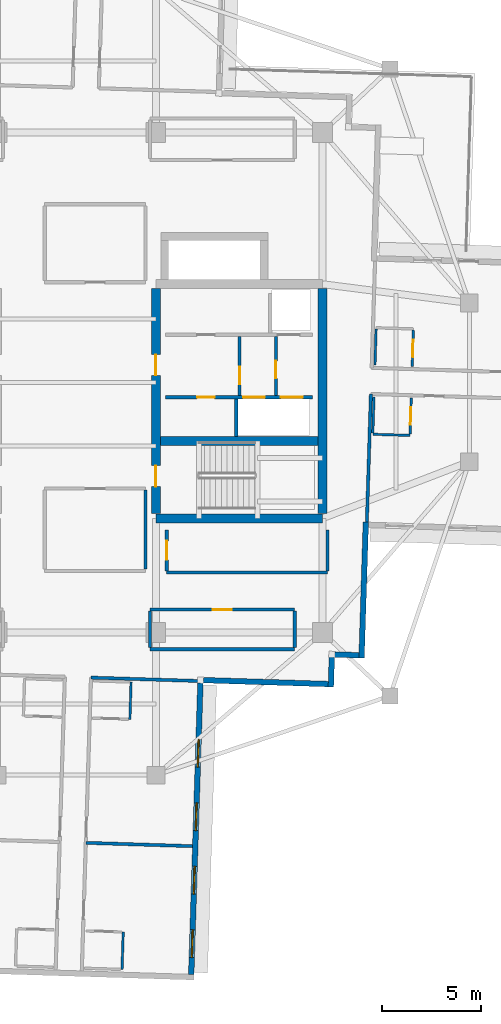
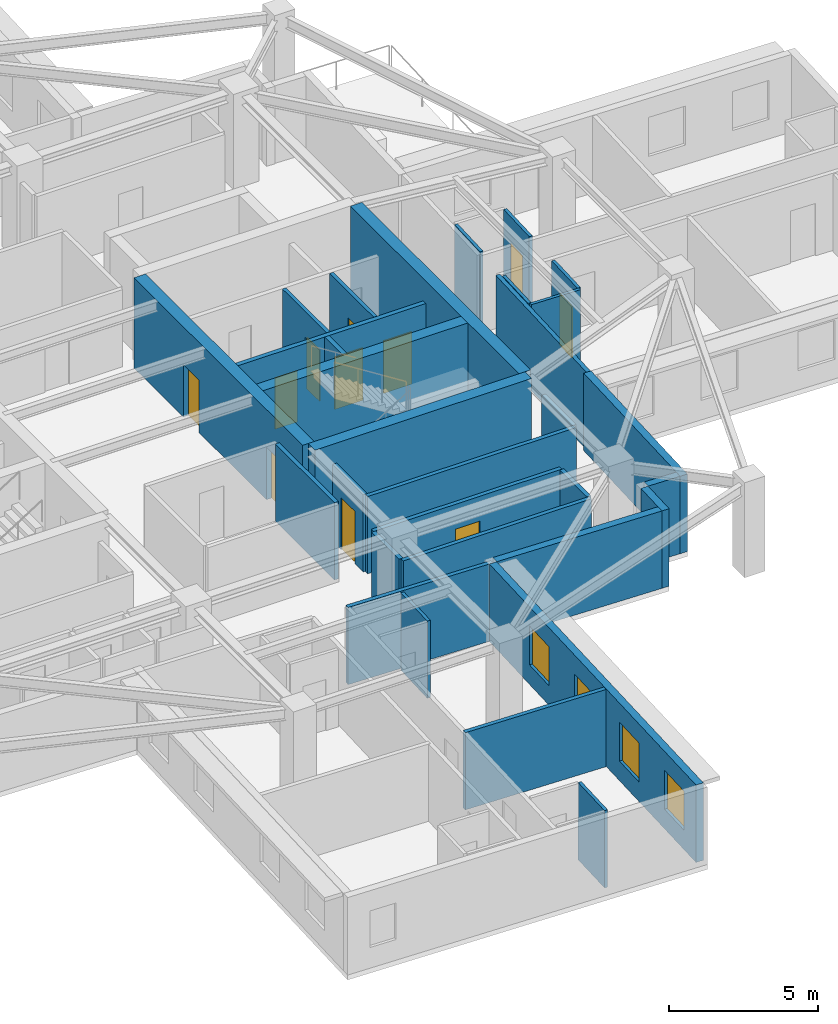
# One storey, part 5 of 12: 31 walls, 11 doors, 4 windows, 15 openings.
"""IFC4 building model written with IfcOpenShell, lengths in metres."""

import ifcopenshell
import ifcopenshell.guid

model = None  # the IFC model being written
_history = None  # IfcOwnerHistory: only IFC2X3 demands one
_inside = {}  # id of a spatial element -> (the spatial element, [elements in it])
_under = {}  # id of a project, library or spatial element -> (it, [spatial elements below it])
_declared = {}  # id of a project -> (the project, [libraries it declares])
_typed = {}  # id of a type object -> (the type object, [elements of that type])
_made_of = {}  # id of a material, layer set ... -> (it, [elements and type objects made of it])


def new_model(schema):
    """Start an empty IFC model of exactly this schema.

    Asked for "IFC4X3", IfcOpenShell would pick the latest addendum, in which some entities
    have other attributes; the version numbers below select the first issue.
    IFC2X3 requires an IfcOwnerHistory on every rooted entity: one is made here for all.
    """
    global model, _history
    if schema == "IFC4X3":
        model = ifcopenshell.file(schema_version=(4, 3, 0, 0))
    else:
        model = ifcopenshell.file(schema=schema)
    _inside.clear()
    _under.clear()
    _declared.clear()
    _typed.clear()
    _made_of.clear()
    _history = None
    if model.schema == "IFC2X3":
        org = make("IfcOrganization", Name="unknown")
        user = make(
            "IfcPersonAndOrganization",
            ThePerson=make("IfcPerson", FamilyName="unknown"),
            TheOrganization=org,
        )
        app = make(
            "IfcApplication",
            ApplicationDeveloper=org,
            Version="unknown",
            ApplicationFullName="unknown",
            ApplicationIdentifier="unknown",
        )
        _history = make(
            "IfcOwnerHistory",
            OwningUser=user,
            OwningApplication=app,
            ChangeAction="ADDED",
            CreationDate=0,
        )
    return model


def make(cls, **values):
    """One entity of the class cls with the attributes given. An attribute that is None is left unset."""
    return model.create_entity(
        cls, **{name: value for name, value in values.items() if value is not None}
    )


def rooted(cls, **values):
    """An entity with a GlobalId (a new one), such as an element, a storey or a relation."""
    return make(cls, GlobalId=ifcopenshell.guid.new(), OwnerHistory=_history, **values)


def si_unit(unit_type, name, prefix=None):
    """IfcSIUnit, for example si_unit("LENGTHUNIT", "METRE", prefix="MILLI")."""
    return make("IfcSIUnit", UnitType=unit_type, Prefix=prefix, Name=name)


def assignment(units):
    """IfcUnitAssignment: the units of a project."""
    return None if units is None else make("IfcUnitAssignment", Units=units)


def point(xyz):
    """IfcCartesianPoint."""
    return None if xyz is None else make("IfcCartesianPoint", Coordinates=xyz)


def direction(xyz):
    """IfcDirection."""
    return None if xyz is None else make("IfcDirection", DirectionRatios=xyz)


def frame(location, z_axis=None, x_axis=None):
    """IfcAxis2Placement3D, a coordinate frame: its origin and axes. An axis left out is left unset."""
    return make(
        "IfcAxis2Placement3D",
        Location=point(location),
        Axis=direction(z_axis),
        RefDirection=direction(x_axis),
    )


def frame_2d(location, x_axis=None):
    """IfcAxis2Placement2D, a coordinate frame in the plane: its origin and x axis."""
    return make(
        "IfcAxis2Placement2D", Location=point(location), RefDirection=direction(x_axis)
    )


def origin():
    """The frame at (0, 0, 0) with its axes left unset."""
    return frame((0.0, 0.0, 0.0))


def place(relative_to, where):
    """IfcLocalPlacement: puts the frame where relative to a parent placement (None: the world)."""
    return make(
        "IfcLocalPlacement", PlacementRelTo=relative_to, RelativePlacement=where
    )


def context(
    kind, dimensions, precision=None, world=None, true_north=None, identifier=None
):
    """IfcGeometricRepresentationContext, for example the 3D "Model" context."""
    return make(
        "IfcGeometricRepresentationContext",
        ContextIdentifier=identifier,
        ContextType=kind,
        CoordinateSpaceDimension=dimensions,
        Precision=precision,
        WorldCoordinateSystem=world,
        TrueNorth=true_north,
    )


def subcontext(parent, identifier, kind, view, scale=None):
    """IfcGeometricRepresentationSubContext, for example "Body" below "Model"."""
    return make(
        "IfcGeometricRepresentationSubContext",
        ContextIdentifier=identifier,
        ContextType=kind,
        ParentContext=parent,
        TargetScale=scale,
        TargetView=view,
    )


def project(units=None, contexts=None):
    """IfcProject with its units and contexts."""
    return rooted(
        "IfcProject",
        Name="project",
        RepresentationContexts=contexts,
        UnitsInContext=assignment(units),
    )


def spatial(cls, under=None, at=None, **own):
    """A site, building, storey or space (cls), placed at a placement, below another one or the project."""
    s = rooted(cls, ObjectPlacement=at, **own)
    if under is not None:
        _under.setdefault(under.id(), (under, []))[1].append(s)
    return s


def profile(cls, at=None, kind="AREA", **sizes):
    """A parametric profile (cls). Its sizes go by their IFC names, for example OverallWidth=200.0."""
    return make(cls, ProfileType=kind, Position=at, **sizes)


def rectangle(**sizes):
    """IfcRectangleProfileDef."""
    return profile("IfcRectangleProfileDef", **sizes)


def extrude(swept, where, along, depth):
    """IfcExtrudedAreaSolid: the profile swept, set in the frame where, extruded along a direction by depth."""
    return make(
        "IfcExtrudedAreaSolid",
        SweptArea=swept,
        Position=where,
        ExtrudedDirection=direction(along),
        Depth=depth,
    )


def shape(context_of_items, identifier, shape_type, items):
    """IfcShapeRepresentation: the items that make up one representation, for example the "Body"."""
    return make(
        "IfcShapeRepresentation",
        ContextOfItems=context_of_items,
        RepresentationIdentifier=identifier,
        RepresentationType=shape_type,
        Items=items,
    )


def material(Name=None, Category=None):
    """IfcMaterial."""
    return make("IfcMaterial", Name=Name, Category=Category)


def layer(
    of_material, thickness, ventilated=None, Name=None, Category=None, Priority=None
):
    """IfcMaterialLayer: one layer of a wall or slab, of a material (None: an air gap)."""
    return make(
        "IfcMaterialLayer",
        Material=of_material,
        LayerThickness=thickness,
        IsVentilated=ventilated,
        Name=Name,
        Category=Category,
        Priority=Priority,
    )


def layer_set(layers, Name=None):
    """IfcMaterialLayerSet."""
    return make("IfcMaterialLayerSet", MaterialLayers=layers, LayerSetName=Name)


def made_of(thing, what):
    """Note that an element or type object is made of a material, layer set ...; save() writes the relation."""
    if what is not None:
        _made_of.setdefault(what.id(), (what, []))[1].append(thing)
    return thing


def type_object(cls, material=None, **own):
    """A type object (cls), such as IfcWallType, which elements share."""
    return made_of(rooted(cls, **own), material)


def element(
    cls,
    number,
    at=None,
    inside=None,
    cuts=None,
    type_object=None,
    material=None,
    context=None,
    identifier="Body",
    shape_type=None,
    held_by="IfcProductDefinitionShape",
    body=None,
    shapes=None,
    **own,
):
    """One element of the class cls, such as IfcWall. Its Tag is "e" and its number.

    at: its placement. inside: the storey or other place that contains it. cuts: it is an
    opening in that element (IfcRelVoidsElement). A single representation is given by context,
    identifier, shape_type and body (its items); several are given by shapes. held_by: the class
    of the entity that holds the representations. save() writes the other relations.
    """
    e = rooted(cls, Tag="e%d" % number, ObjectPlacement=at, **own)
    if body is not None:
        shapes = [shape(context, identifier, shape_type, body)]
    if shapes is not None:
        e.Representation = make(held_by, Representations=shapes)
    if inside is not None:
        _inside.setdefault(inside.id(), (inside, []))[1].append(e)
    if cuts is not None:
        rooted(
            "IfcRelVoidsElement", RelatingBuildingElement=cuts, RelatedOpeningElement=e
        )
    if type_object is not None:
        _typed.setdefault(type_object.id(), (type_object, []))[1].append(e)
    return made_of(e, material)


def fill(opening, filler):
    """IfcRelFillsElement: the door or window that sits in an opening."""
    return rooted(
        "IfcRelFillsElement",
        RelatingOpeningElement=opening,
        RelatedBuildingElement=filler,
    )


def aggregate(whole, parts):
    """IfcRelAggregates: a whole, such as a stair, and the parts it consists of."""
    return rooted("IfcRelAggregates", RelatingObject=whole, RelatedObjects=parts)


def save(model, path):
    """Write the relations noted so far, then the file.

    IfcRelAggregates (storeys below a building ...), IfcRelContainedInSpatialStructure (elements
    in a storey), IfcRelDefinesByType, IfcRelAssociatesMaterial and IfcRelDeclares: one each for
    every whole, place, type object, material and project.
    """
    for whole, parts in _under.values():
        aggregate(whole, parts)
    for where, things in _inside.values():
        rooted(
            "IfcRelContainedInSpatialStructure",
            RelatedElements=things,
            RelatingStructure=where,
        )
    for kind, things in _typed.values():
        rooted("IfcRelDefinesByType", RelatedObjects=things, RelatingType=kind)
    for what, things in _made_of.values():
        rooted("IfcRelAssociatesMaterial", RelatedObjects=things, RelatingMaterial=what)
    for by, libraries in _declared.values():
        rooted("IfcRelDeclares", RelatingContext=by, RelatedDefinitions=libraries)
    model.write(path)


model = new_model("IFC4")

# Units and contexts
model_context = context("Model", 3, precision=1e-05, world=origin(), true_north=direction((0.0, 1.0)))
body_context = subcontext(model_context, "Body", "Model", "MODEL_VIEW")
ifc_project = project(units=[si_unit("LENGTHUNIT", "METRE"), si_unit("AREAUNIT", "SQUARE_METRE"), si_unit("VOLUMEUNIT", "CUBIC_METRE"), si_unit("PLANEANGLEUNIT", "RADIAN"), si_unit("MASSUNIT", "GRAM", prefix="KILO")], contexts=[model_context])

# Site, building, storey
site_placement = place(None, origin())
site = spatial("IfcSite", under=ifc_project, at=site_placement, CompositionType="ELEMENT")
building_placement = place(site_placement, origin())
building = spatial("IfcBuilding", under=site, at=building_placement, Name="Qingluan Cross Belvedere", CompositionType="ELEMENT")
storey_placement = place(building_placement, frame((0.0, 0.0, 232.5)))
storey = spatial("IfcBuildingStorey", under=building, at=storey_placement, Name="L58", CompositionType="ELEMENT", Elevation=232.5)

# Wall
ifc_material_1 = material(Name="Concrete C50", Category="concrete")
ifc_layer_1 = layer(ifc_material_1, 0.449951171875, Name="CoreShearWall_450")
ifc_layer_set_1 = layer_set([ifc_layer_1], Name="Concrete C50")
wall_type_1 = type_object("IfcWallType", Name="CoreShearWall_450", PredefinedType="SHEAR", material=ifc_layer_set_1)
wall_1_placement = place(storey_placement, frame((4.0, -6.85009765625, 0.0), z_axis=(0.0, 0.0, 1.0), x_axis=(1.0, 0.0, 0.0)))
element("IfcWall", 1, at=wall_1_placement, inside=storey, type_object=wall_type_1, Name="Split core E shear wall L58-S", PredefinedType="SHEAR", context=body_context, shape_type="SweptSolid", body=[
    extrude(rectangle(XDim=8.39990234375, YDim=0.449951171875, at=frame_2d((4.199951171875, 0.0))), origin(), (0.0, 0.0, 1.0), 3.699951171875),
])

# Wall, openings, doors
wall_2_placement = place(storey_placement, frame((4.0, -6.6201171875, 0.0), z_axis=(0.0, 0.0, 1.0), x_axis=(0.0, 1.0, 0.0)))
wall_2 = element("IfcWall", 2, at=wall_2_placement, inside=storey, type_object=wall_type_1, Name="Split core E shear wall L58-W", PredefinedType="SHEAR", context=body_context, shape_type="SweptSolid", body=[
    extrude(rectangle(XDim=11.340087890625, YDim=0.449951171875, at=frame_2d((5.669921875, 0.0))), origin(), (0.0, 0.0, 1.0), 3.699951171875),
])
opening_1_placement = place(wall_2_placement, frame((1.3701171875, 0.0, 0.0)))
opening_1 = element("IfcOpeningElement", 3, at=opening_1_placement, cuts=wall_2, Name="Opening FD-B11", PredefinedType="OPENING", context=body_context, shape_type="SweptSolid", body=[
    extrude(rectangle(XDim=1.050048828125, YDim=2.14990234375, at=frame_2d((0.52490234375, 1.074951171875))), frame((0.0, 0.23486328125, 0.0), z_axis=(0.0, -1.0, 0.0), x_axis=(1.0, 0.0, 0.0)), (0.0, 0.0, 1.0), 0.469970703125),
])
opening_2_placement = place(wall_2_placement, frame((6.969970703125, 0.0, 0.0)))
opening_2 = element("IfcOpeningElement", 4, at=opening_2_placement, cuts=wall_2, Name="Opening FD-B11", PredefinedType="OPENING", context=body_context, shape_type="SweptSolid", body=[
    extrude(rectangle(XDim=1.050048828125, YDim=2.14990234375, at=frame_2d((0.52490234375, 1.074951171875))), frame((0.0, 0.23486328125, 0.0), z_axis=(0.0, -1.0, 0.0), x_axis=(1.0, 0.0, 0.0)), (0.0, 0.0, 1.0), 0.469970703125),
])
ifc_material_2 = material(Name="Steel Class B smoke-seal fire door", Category="steel")
door_type_1 = type_object("IfcDoorType", Name="StairLobbyFireDoor_FDB", OperationType="NOTDEFINED", PredefinedType="DOOR", material=ifc_material_2)
door_1_placement = place(opening_1_placement, origin())
door_1 = element("IfcDoor", 5, at=door_1_placement, inside=storey, type_object=door_type_1, Name="Smoke-proof stair ST2 fire door L58", OperationType="SINGLE_SWING_LEFT", OverallHeight=2.14990234375, OverallWidth=1.050048828125, PredefinedType="DOOR", context=body_context, shape_type="SweptSolid", body=[
    extrude(rectangle(XDim=1.050048828125, YDim=2.14990234375, at=frame_2d((0.52490234375, 1.074951171875))), frame((0.0, 0.02490234375, 0.0), z_axis=(0.0, -1.0, 0.0), x_axis=(1.0, 0.0, 0.0)), (0.0, 0.0, 1.0), 0.050048828125),
])
fill(opening_1, door_1)
door_2_placement = place(opening_2_placement, origin())
door_2 = element("IfcDoor", 6, at=door_2_placement, inside=storey, type_object=door_type_1, Name="Firefighting lobby East fire door L58", OperationType="SINGLE_SWING_LEFT", OverallHeight=2.14990234375, OverallWidth=1.050048828125, PredefinedType="DOOR", context=body_context, shape_type="SweptSolid", body=[
    extrude(rectangle(XDim=1.050048828125, YDim=2.14990234375, at=frame_2d((0.52490234375, 1.074951171875))), frame((0.0, 0.02490234375, 0.0), z_axis=(0.0, -1.0, 0.0), x_axis=(1.0, 0.0, 0.0)), (0.0, 0.0, 1.0), 0.050048828125),
])
fill(opening_2, door_2)

# Walls
wall_3_placement = place(storey_placement, frame((12.39990234375, -6.6201171875, 0.0), z_axis=(0.0, 0.0, 1.0), x_axis=(0.0, 1.0, 0.0)))
element("IfcWall", 7, at=wall_3_placement, inside=storey, type_object=wall_type_1, Name="Split core E shear wall L58-E", PredefinedType="SHEAR", context=body_context, shape_type="SweptSolid", body=[
    extrude(rectangle(XDim=11.340087890625, YDim=0.449951171875, at=frame_2d((5.669921875, 0.0))), origin(), (0.0, 0.0, 1.0), 3.699951171875),
])
wall_4_placement = place(storey_placement, frame((4.22998046875, -2.9599609375, 0.0), z_axis=(0.0, 0.0, 1.0), x_axis=(1.0, 0.0, 0.0)))
element("IfcWall", 8, at=wall_4_placement, inside=storey, type_object=wall_type_1, Name="Split core E shear wall L58-M", PredefinedType="SHEAR", context=body_context, shape_type="SweptSolid", body=[
    extrude(rectangle(XDim=7.93994140625, YDim=0.449951171875, at=frame_2d((3.969970703125, 0.0))), origin(), (0.0, 0.0, 1.0), 3.699951171875),
])

# Wall, opening, door
ifc_material_3 = material(Name="Gypsum plasterboard on steel stud acoustic partition", Category="steel")
ifc_layer_2 = layer(ifc_material_3, 0.159912109375, Name="CorridorPartition_160")
ifc_layer_set_2 = layer_set([ifc_layer_2], Name="Gypsum plasterboard on steel stud acoustic partition")
wall_type_2 = type_object("IfcWallType", Name="CorridorPartition_160", PredefinedType="PARTITIONING", material=ifc_layer_set_2)
wall_5_placement = place(storey_placement, frame((10.050048828125, -0.652099609375, 0.0), z_axis=(0.0, 0.0, 1.0), x_axis=(0.0, 1.0, 0.0)))
wall_5 = element("IfcWall", 9, at=wall_5_placement, inside=storey, type_object=wall_type_2, Name="Partition L58:ev", PredefinedType="PARTITIONING", context=body_context, shape_type="SweptSolid", body=[
    extrude(rectangle(XDim=2.962158203125, YDim=0.139892578125, at=frame_2d((1.48095703125, 0.0))), origin(), (0.0, 0.0, 1.0), 3.169921875),
])
opening_3_placement = place(wall_5_placement, frame((0.85009765625, 0.0, 0.0)))
opening_3 = element("IfcOpeningElement", 10, at=opening_3_placement, cuts=wall_5, Name="Opening FD-B10", PredefinedType="OPENING", context=body_context, shape_type="SweptSolid", body=[
    extrude(rectangle(XDim=0.8798828125, YDim=2.10009765625, at=frame_2d((0.43994140625, 1.050048828125))), frame((0.0, 0.079833984375, 0.0), z_axis=(0.0, -1.0, 0.0), x_axis=(1.0, 0.0, 0.0)), (0.0, 0.0, 1.0), 0.159912109375),
])
ifc_material_4 = material(Name="Steel Class B service fire door", Category="steel")
door_type_2 = type_object("IfcDoorType", Name="RiserServiceFireDoor_FDB", OperationType="NOTDEFINED", PredefinedType="DOOR", material=ifc_material_4)
door_3_placement = place(opening_3_placement, origin())
door_3 = element("IfcDoor", 11, at=door_3_placement, inside=storey, type_object=door_type_2, Name="Service closet inner door L58", OperationType="SINGLE_SWING_RIGHT", OverallHeight=2.10009765625, OverallWidth=0.8798828125, PredefinedType="DOOR", context=body_context, shape_type="SweptSolid", body=[
    extrude(rectangle(XDim=0.8798828125, YDim=2.10009765625, at=frame_2d((0.43994140625, 1.050048828125))), frame((0.0, 0.02490234375, 0.0), z_axis=(0.0, -1.0, 0.0), x_axis=(1.0, 0.0, 0.0)), (0.0, 0.0, 1.0), 0.050048828125),
])
fill(opening_3, door_3)

# Wall
wall_6_placement = place(storey_placement, frame((3.699951171875, -13.449951171875, 0.0), z_axis=(0.0, 0.0, 1.0), x_axis=(1.0, 0.0, 0.0)))
element("IfcWall", 12, at=wall_6_placement, inside=storey, type_object=wall_type_2, Name="Partition L58:q_se:S", PredefinedType="PARTITIONING", context=body_context, shape_type="SweptSolid", body=[
    extrude(rectangle(XDim=7.300048828125, YDim=0.159912109375, at=frame_2d((3.64990234375, 0.0))), origin(), (0.0, 0.0, 1.0), 3.169921875),
])

# Wall, opening, door
wall_7_placement = place(storey_placement, frame((3.699951171875, -11.449951171875, 0.0), z_axis=(0.0, 0.0, 1.0), x_axis=(1.0, 0.0, 0.0)))
wall_7 = element("IfcWall", 13, at=wall_7_placement, inside=storey, type_object=wall_type_2, Name="Partition L58:q_se:N", PredefinedType="PARTITIONING", context=body_context, shape_type="SweptSolid", body=[
    extrude(rectangle(XDim=7.300048828125, YDim=0.159912109375, at=frame_2d((3.64990234375, 0.0))), origin(), (0.0, 0.0, 1.0), 3.169921875),
])
opening_4_placement = place(wall_7_placement, frame((3.169921875, 0.0, 0.0)))
opening_4 = element("IfcOpeningElement", 14, at=opening_4_placement, cuts=wall_7, Name="Opening GD-10", PredefinedType="OPENING", context=body_context, shape_type="SweptSolid", body=[
    extrude(rectangle(XDim=0.9599609375, YDim=2.14990234375, at=frame_2d((0.47998046875, 1.074951171875))), frame((0.0, 0.08984375, 0.0), z_axis=(0.0, -1.0, 0.0), x_axis=(1.0, 0.0, 0.0)), (0.0, 0.0, 1.0), 0.179931640625),
])
ifc_material_5 = material(Name="Timber oak fire-rated acoustic guestroom door", Category="wood")
door_type_3 = type_object("IfcDoorType", Name="GuestEntryDoor_FD60", OperationType="NOTDEFINED", PredefinedType="DOOR", material=ifc_material_5)
door_4_placement = place(opening_4_placement, origin())
door_4 = element("IfcDoor", 15, at=door_4_placement, inside=storey, type_object=door_type_3, Name="Sky conservatory lounge L58 door", OperationType="SINGLE_SWING_RIGHT", OverallHeight=2.14990234375, OverallWidth=0.9599609375, PredefinedType="DOOR", context=body_context, shape_type="SweptSolid", body=[
    extrude(rectangle(XDim=0.9599609375, YDim=2.14990234375, at=frame_2d((0.47998046875, 1.074951171875))), frame((0.0, 0.02490234375, 0.0), z_axis=(0.0, -1.0, 0.0), x_axis=(1.0, 0.0, 0.0)), (0.0, 0.0, 1.0), 0.050048828125),
])
fill(opening_4, door_4)

# Walls
for number, where, z_axis, x_axis, name in (
    (16, (3.699951171875, -13.364990234375, 0.0), (0.0, 0.0, 1.0), (0.0, 1.0, 0.0), "Partition L58:q_se:W"),
    (17, (11.0, -13.364990234375, 0.0), (0.0, 0.0, 1.0), (0.0, 1.0, 0.0), "Partition L58:q_se:E"),
):
    element("IfcWall", number, at=place(storey_placement, frame(where, z_axis=z_axis, x_axis=x_axis)), inside=storey, type_object=wall_type_2, Name=name, PredefinedType="PARTITIONING", context=body_context, shape_type="SweptSolid", body=[
        extrude(rectangle(XDim=1.830078125, YDim=0.159912109375, at=frame_2d((0.9150390625, 0.0))), origin(), (0.0, 0.0, 1.0), 3.169921875),
    ])
wall_8_placement = place(storey_placement, frame((3.47998046875, -9.4150390625, 0.0), z_axis=(0.0, 0.0, 1.0), x_axis=(0.0, 1.0, 0.0)))
element("IfcWall", 18, at=wall_8_placement, inside=storey, type_object=wall_type_2, Name="Partition L58:sky_south_alcove:E", PredefinedType="PARTITIONING", context=body_context, shape_type="SweptSolid", body=[
    extrude(rectangle(XDim=3.97998046875, YDim=0.159912109375, at=frame_2d((1.989990234375, 0.0))), origin(), (0.0, 0.0, 1.0), 3.169921875),
])
wall_9_placement = place(storey_placement, frame((4.550048828125, -9.580078125, 0.0), z_axis=(0.0, 0.0, 1.0), x_axis=(1.0, 0.0, 0.0)))
element("IfcWall", 19, at=wall_9_placement, inside=storey, type_object=wall_type_2, Name="Partition L58:rec_st4:S", PredefinedType="PARTITIONING", context=body_context, shape_type="SweptSolid", body=[
    extrude(rectangle(XDim=8.099853515625, YDim=0.159912109375, at=frame_2d((4.0498046875, 0.0))), origin(), (0.0, 0.0, 1.0), 3.169921875),
])

# Wall, opening, door
wall_10_placement = place(storey_placement, frame((4.550048828125, -9.4951171875, 0.0), z_axis=(0.0, 0.0, 1.0), x_axis=(0.0, 1.0, 0.0)))
wall_10 = element("IfcWall", 20, at=wall_10_placement, inside=storey, type_object=wall_type_2, Name="Partition L58:rec_st4:W", PredefinedType="PARTITIONING", context=body_context, shape_type="SweptSolid", body=[
    extrude(rectangle(XDim=2.06005859375, YDim=0.159912109375, at=frame_2d((1.030029296875, 0.0))), origin(), (0.0, 0.0, 1.0), 3.169921875),
])
opening_5_placement = place(wall_10_placement, frame((0.550048828125, 0.0, 0.0)))
opening_5 = element("IfcOpeningElement", 21, at=opening_5_placement, cuts=wall_10, Name="Opening GD-10", PredefinedType="OPENING", context=body_context, shape_type="SweptSolid", body=[
    extrude(rectangle(XDim=0.9599609375, YDim=2.14990234375, at=frame_2d((0.47998046875, 1.074951171875))), frame((0.0, 0.08984375, 0.0), z_axis=(0.0, -1.0, 0.0), x_axis=(1.0, 0.0, 0.0)), (0.0, 0.0, 1.0), 0.179931640625),
])
door_5_placement = place(opening_5_placement, origin())
door_5 = element("IfcDoor", 22, at=door_5_placement, inside=storey, type_object=door_type_3, Name="Southeast club library room L58 door", OperationType="SINGLE_SWING_RIGHT", OverallHeight=2.14990234375, OverallWidth=0.9599609375, PredefinedType="DOOR", context=body_context, shape_type="SweptSolid", body=[
    extrude(rectangle(XDim=0.9599609375, YDim=2.14990234375, at=frame_2d((0.47998046875, 1.074951171875))), frame((0.0, 0.02490234375, 0.0), z_axis=(0.0, -1.0, 0.0), x_axis=(1.0, 0.0, 0.0)), (0.0, 0.0, 1.0), 0.050048828125),
])
fill(opening_5, door_5)

# Walls
wall_11_placement = place(storey_placement, frame((12.64990234375, -9.4951171875, 0.0), z_axis=(0.0, 0.0, 1.0), x_axis=(0.0, 1.0, 0.0)))
element("IfcWall", 23, at=wall_11_placement, inside=storey, type_object=wall_type_2, Name="Partition L58:rec_st4:E", PredefinedType="PARTITIONING", context=body_context, shape_type="SweptSolid", body=[
    extrude(rectangle(XDim=2.06005859375, YDim=0.159912109375, at=frame_2d((1.030029296875, 0.0))), origin(), (0.0, 0.0, 1.0), 3.169921875),
])
wall_12_placement = place(storey_placement, frame((14.8388671875, -0.58642578125, 0.0), z_axis=(0.0, 0.0, 1.0), x_axis=(-0.031407228636, -0.999506671308, 0.0)))
element("IfcWall", 24, at=wall_12_placement, inside=storey, type_object=wall_type_2, Name="Partition L58:E:s1", PredefinedType="PARTITIONING", context=body_context, shape_type="SweptSolid", body=[
    extrude(rectangle(XDim=6.451904296875, YDim=0.159912109375, at=frame_2d((3.22607421875, 0.0))), origin(), (0.0, 0.0, 1.0), 3.169921875),
])
wall_13_placement = place(storey_placement, frame((0.73291015625, -14.88037109375, 0.0), z_axis=(0.0, 0.0, 1.0), x_axis=(0.999506841071, -0.031401825619, 0.0)))
element("IfcWall", 25, at=wall_13_placement, inside=storey, type_object=wall_type_2, Name="Partition L58:S:s0", PredefinedType="PARTITIONING", context=body_context, shape_type="SweptSolid", body=[
    extrude(rectangle(XDim=5.52001953125, YDim=0.159912109375, at=frame_2d((2.760009765625, 0.0))), origin(), (0.0, 0.0, 1.0), 3.169921875),
])
wall_14_placement = place(storey_placement, frame((0.47119140625, -23.207275390625, 0.0), z_axis=(0.0, 0.0, 1.0), x_axis=(0.999506785589, -0.031403591545, 0.0)))
element("IfcWall", 26, at=wall_14_placement, inside=storey, type_object=wall_type_2, Name="Partition L58:S:d0_0", PredefinedType="PARTITIONING", context=body_context, shape_type="SweptSolid", body=[
    extrude(rectangle(XDim=5.3720703125, YDim=0.159912109375, at=frame_2d((2.68603515625, 0.0))), origin(), (0.0, 0.0, 1.0), 3.169921875),
])

# Wall, opening, door
ifc_material_6 = material(Name="Moisture-resistant gypsum board lining")
ifc_layer_3 = layer(ifc_material_6, 0.1201171875, Name="EnsuiteWetPartition_120")
ifc_layer_set_3 = layer_set([ifc_layer_3], Name="Moisture-resistant gypsum board lining")
wall_type_3 = type_object("IfcWallType", Name="EnsuiteWetPartition_120", PredefinedType="PARTITIONING", material=ifc_layer_set_3)
wall_15_placement = place(storey_placement, frame((16.923828125, 0.808837890625, 0.0), z_axis=(0.0, 0.0, 1.0), x_axis=(0.031389704724, 0.999507221803, 0.0)))
wall_15 = element("IfcWall", 27, at=wall_15_placement, inside=storey, type_object=wall_type_3, Name="Partition L58:E:bs0_0", PredefinedType="PARTITIONING", context=body_context, shape_type="SweptSolid", body=[
    extrude(rectangle(XDim=1.820068359375, YDim=0.1201171875, at=frame_2d((0.91015625, 0.0))), origin(), (0.0, 0.0, 1.0), 3.169921875),
])
opening_6_placement = place(wall_15_placement, frame((0.469970703125, 0.0, 0.0)))
opening_6 = element("IfcOpeningElement", 28, at=opening_6_placement, cuts=wall_15, Name="Opening BD-09", PredefinedType="OPENING", context=body_context, shape_type="SweptSolid", body=[
    extrude(rectangle(XDim=0.8798828125, YDim=2.10009765625, at=frame_2d((0.43994140625, 1.050048828125))), frame((0.0, 0.070068359375, 0.0), z_axis=(0.0, -1.0, 0.0), x_axis=(1.0, 0.0, 0.0)), (0.0, 0.0, 1.0), 0.14013671875),
])
ifc_material_7 = material(Name="Moisture-sealed timber en-suite door", Category="wood")
door_type_4 = type_object("IfcDoorType", Name="BathroomDoor_880", OperationType="NOTDEFINED", PredefinedType="DOOR", material=ifc_material_7)
door_6_placement = place(opening_6_placement, origin())
door_6 = element("IfcDoor", 29, at=door_6_placement, inside=storey, type_object=door_type_4, Name="Bathroom door 5801", OperationType="SINGLE_SWING_LEFT", OverallHeight=2.10009765625, OverallWidth=0.8798828125, PredefinedType="DOOR", context=body_context, shape_type="SweptSolid", body=[
    extrude(rectangle(XDim=0.8798828125, YDim=2.10009765625, at=frame_2d((0.43994140625, 1.050048828125))), frame((0.0, 0.02490234375, 0.0), z_axis=(0.0, -1.0, 0.0), x_axis=(1.0, 0.0, 0.0)), (0.0, 0.0, 1.0), 0.050048828125),
])
fill(opening_6, door_6)

# Wall
wall_16_placement = place(storey_placement, frame((15.044677734375, 0.867919921875, 0.0), z_axis=(0.0, 0.0, 1.0), x_axis=(0.031389704724, 0.999507221803, 0.0)))
element("IfcWall", 30, at=wall_16_placement, inside=storey, type_object=wall_type_3, Name="Partition L58:E:bw0_0", PredefinedType="PARTITIONING", context=body_context, shape_type="SweptSolid", body=[
    extrude(rectangle(XDim=1.820068359375, YDim=0.1201171875, at=frame_2d((0.91015625, 0.0))), origin(), (0.0, 0.0, 1.0), 3.169921875),
])

# Wall, opening, door
wall_17_placement = place(storey_placement, frame((16.81640625, -2.609619140625, 0.0), z_axis=(0.0, 0.0, 1.0), x_axis=(0.031385496622, 0.999507353951, 0.0)))
wall_17 = element("IfcWall", 31, at=wall_17_placement, inside=storey, type_object=wall_type_3, Name="Partition L58:E:bs1_0", PredefinedType="PARTITIONING", context=body_context, shape_type="SweptSolid", body=[
    extrude(rectangle(XDim=1.8203125, YDim=0.1201171875, at=frame_2d((0.91015625, 0.0))), origin(), (0.0, 0.0, 1.0), 3.169921875),
])
opening_7_placement = place(wall_17_placement, frame((0.469970703125, 0.0, 0.0)))
opening_7 = element("IfcOpeningElement", 32, at=opening_7_placement, cuts=wall_17, Name="Opening BD-09", PredefinedType="OPENING", context=body_context, shape_type="SweptSolid", body=[
    extrude(rectangle(XDim=0.8798828125, YDim=2.10009765625, at=frame_2d((0.43994140625, 1.050048828125))), frame((0.0, 0.070068359375, 0.0), z_axis=(0.0, -1.0, 0.0), x_axis=(1.0, 0.0, 0.0)), (0.0, 0.0, 1.0), 0.14013671875),
])
door_7_placement = place(opening_7_placement, origin())
door_7 = element("IfcDoor", 33, at=door_7_placement, inside=storey, type_object=door_type_4, Name="Bathroom door 5803", OperationType="SINGLE_SWING_LEFT", OverallHeight=2.10009765625, OverallWidth=0.8798828125, PredefinedType="DOOR", context=body_context, shape_type="SweptSolid", body=[
    extrude(rectangle(XDim=0.8798828125, YDim=2.10009765625, at=frame_2d((0.43994140625, 1.050048828125))), frame((0.0, 0.02490234375, 0.0), z_axis=(0.0, -1.0, 0.0), x_axis=(1.0, 0.0, 0.0)), (0.0, 0.0, 1.0), 0.050048828125),
])
fill(opening_7, door_7)

# Walls
wall_18_placement = place(storey_placement, frame((14.937255859375, -2.55029296875, 0.0), z_axis=(0.0, 0.0, 1.0), x_axis=(0.031389704724, 0.999507221803, 0.0)))
element("IfcWall", 34, at=wall_18_placement, inside=storey, type_object=wall_type_3, Name="Partition L58:E:bw1_0", PredefinedType="PARTITIONING", context=body_context, shape_type="SweptSolid", body=[
    extrude(rectangle(XDim=1.820068359375, YDim=0.1201171875, at=frame_2d((0.91015625, 0.0))), origin(), (0.0, 0.0, 1.0), 3.169921875),
])
for number, where, z_axis, x_axis, name in (
    (35, (14.935302734375, -2.615478515625, 0.0), (0.0, 0.0, 1.0), (0.999505975261, -0.031429371883, 0.0), "Partition L58:E:bc1_0"),
    (36, (2.751953125, -15.10400390625, 0.0), (0.0, 0.0, 1.0), (-0.031429371883, -0.999505975261, 0.0), "Partition L58:S:bn0_0"),
    (37, (2.355712890625, -27.707763671875, 0.0), (0.0, 0.0, 1.0), (-0.031299625942, -0.999510046681, 0.0), "Partition L58:S:bn0_1"),
):
    element("IfcWall", number, at=place(storey_placement, frame(where, z_axis=z_axis, x_axis=x_axis)), inside=storey, type_object=wall_type_3, Name=name, PredefinedType="PARTITIONING", context=body_context, shape_type="SweptSolid", body=[
        extrude(rectangle(XDim=1.8798828125, YDim=0.1201171875, at=frame_2d((0.93994140625, 0.0))), origin(), (0.0, 0.0, 1.0), 3.169921875),
    ])

# Wall, openings, windows
ifc_material_8 = material(Name="Precast concrete C45", Category="concrete")
ifc_layer_4 = layer(ifc_material_8, 0.280029296875, Name="PrecastFacadeWall_280")
ifc_layer_set_4 = layer_set([ifc_layer_4], Name="Precast concrete C45")
wall_type_4 = type_object("IfcWallType", Name="PrecastFacadeWall_280", PredefinedType="STANDARD", material=ifc_layer_set_4)
wall_19_placement = place(storey_placement, frame((5.78564453125, -29.83642578125, 0.0), z_axis=(0.0, 0.0, 1.0), x_axis=(0.031406376864, 0.999506698073, 0.0)))
wall_19 = element("IfcWall", 38, at=wall_19_placement, inside=storey, type_object=wall_type_4, Name="Facade wall L58-SB", PredefinedType="STANDARD", context=body_context, shape_type="SweptSolid", body=[
    extrude(rectangle(XDim=14.699951171875, YDim=0.280029296875, at=frame_2d((7.35009765625, 0.0))), origin(), (0.0, 0.0, 1.0), 3.179931640625),
])
opening_8_placement = place(wall_19_placement, frame((0.85009765625, 0.0, 0.800048828125)))
opening_8 = element("IfcOpeningElement", 39, at=opening_8_placement, cuts=wall_19, Name="Opening W-01", PredefinedType="OPENING", context=body_context, shape_type="SweptSolid", body=[
    extrude(rectangle(XDim=1.39990234375, YDim=1.60009765625, at=frame_2d((0.699951171875, 0.800048828125))), frame((0.0, 0.14990234375, 0.0), z_axis=(0.0, -1.0, 0.0), x_axis=(1.0, 0.0, 0.0)), (0.0, 0.0, 1.0), 0.300048828125),
])
opening_9_placement = place(wall_19_placement, frame((4.050048828125, 0.0, 0.800048828125)))
opening_9 = element("IfcOpeningElement", 40, at=opening_9_placement, cuts=wall_19, Name="Opening W-01", PredefinedType="OPENING", context=body_context, shape_type="SweptSolid", body=[
    extrude(rectangle(XDim=1.39990234375, YDim=1.60009765625, at=frame_2d((0.699951171875, 0.800048828125))), frame((0.0, 0.14990234375, 0.0), z_axis=(0.0, -1.0, 0.0), x_axis=(1.0, 0.0, 0.0)), (0.0, 0.0, 1.0), 0.300048828125),
])
opening_10_placement = place(wall_19_placement, frame((7.25, 0.0, 0.800048828125)))
opening_10 = element("IfcOpeningElement", 41, at=opening_10_placement, cuts=wall_19, Name="Opening W-01", PredefinedType="OPENING", context=body_context, shape_type="SweptSolid", body=[
    extrude(rectangle(XDim=1.39990234375, YDim=1.60009765625, at=frame_2d((0.699951171875, 0.800048828125))), frame((0.0, 0.14990234375, 0.0), z_axis=(0.0, -1.0, 0.0), x_axis=(1.0, 0.0, 0.0)), (0.0, 0.0, 1.0), 0.300048828125),
])
opening_11_placement = place(wall_19_placement, frame((10.449951171875, 0.0, 0.800048828125)))
opening_11 = element("IfcOpeningElement", 42, at=opening_11_placement, cuts=wall_19, Name="Opening W-01", PredefinedType="OPENING", context=body_context, shape_type="SweptSolid", body=[
    extrude(rectangle(XDim=1.39990234375, YDim=1.60009765625, at=frame_2d((0.699951171875, 0.800048828125))), frame((0.0, 0.14990234375, 0.0), z_axis=(0.0, -1.0, 0.0), x_axis=(1.0, 0.0, 0.0)), (0.0, 0.0, 1.0), 0.300048828125),
])
ifc_material_9 = material(Name="Thermally broken triple Low-E glass in aluminium frame", Category="aluminium")
window_type = type_object("IfcWindowType", Name="TriRibbonWin_1400x1600", PartitioningType="SINGLE_PANEL", PredefinedType="WINDOW", material=ifc_material_9)
window_1_placement = place(opening_8_placement, origin())
window_1 = element("IfcWindow", 43, at=window_1_placement, inside=storey, type_object=window_type, Name="Ribbon window L58-SB-1", OverallHeight=1.60009765625, OverallWidth=1.39990234375, PartitioningType="SINGLE_PANEL", PredefinedType="WINDOW", context=body_context, shape_type="SweptSolid", body=[
    extrude(rectangle(XDim=1.39990234375, YDim=1.60009765625, at=frame_2d((0.699951171875, 0.800048828125))), frame((0.0, 0.030029296875, 0.0), z_axis=(0.0, -1.0, 0.0), x_axis=(1.0, 0.0, 0.0)), (0.0, 0.0, 1.0), 0.06005859375),
])
fill(opening_8, window_1)
window_2_placement = place(opening_9_placement, origin())
window_2 = element("IfcWindow", 44, at=window_2_placement, inside=storey, type_object=window_type, Name="Ribbon window L58-SB-2", OverallHeight=1.60009765625, OverallWidth=1.39990234375, PartitioningType="SINGLE_PANEL", PredefinedType="WINDOW", context=body_context, shape_type="SweptSolid", body=[
    extrude(rectangle(XDim=1.39990234375, YDim=1.60009765625, at=frame_2d((0.699951171875, 0.800048828125))), frame((0.0, 0.030029296875, 0.0), z_axis=(0.0, -1.0, 0.0), x_axis=(1.0, 0.0, 0.0)), (0.0, 0.0, 1.0), 0.06005859375),
])
fill(opening_9, window_2)
window_3_placement = place(opening_10_placement, origin())
window_3 = element("IfcWindow", 45, at=window_3_placement, inside=storey, type_object=window_type, Name="Ribbon window L58-SB-3", OverallHeight=1.60009765625, OverallWidth=1.39990234375, PartitioningType="SINGLE_PANEL", PredefinedType="WINDOW", context=body_context, shape_type="SweptSolid", body=[
    extrude(rectangle(XDim=1.39990234375, YDim=1.60009765625, at=frame_2d((0.699951171875, 0.800048828125))), frame((0.0, 0.030029296875, 0.0), z_axis=(0.0, -1.0, 0.0), x_axis=(1.0, 0.0, 0.0)), (0.0, 0.0, 1.0), 0.06005859375),
])
fill(opening_10, window_3)
window_4_placement = place(opening_11_placement, origin())
window_4 = element("IfcWindow", 46, at=window_4_placement, inside=storey, type_object=window_type, Name="Ribbon window L58-SB-4", OverallHeight=1.60009765625, OverallWidth=1.39990234375, PartitioningType="SINGLE_PANEL", PredefinedType="WINDOW", context=body_context, shape_type="SweptSolid", body=[
    extrude(rectangle(XDim=1.39990234375, YDim=1.60009765625, at=frame_2d((0.699951171875, 0.800048828125))), frame((0.0, 0.030029296875, 0.0), z_axis=(0.0, -1.0, 0.0), x_axis=(1.0, 0.0, 0.0)), (0.0, 0.0, 1.0), 0.06005859375),
])
fill(opening_11, window_4)

# Walls
wall_20_placement = place(storey_placement, frame((14.5859375, -7.04150390625, 0.0), z_axis=(0.0, 0.0, 1.0), x_axis=(-0.031389189386, -0.999507237988, 0.0)))
element("IfcWall", 47, at=wall_20_placement, inside=storey, type_object=wall_type_4, Name="Corner wall L58-SE1", PredefinedType="STANDARD", context=body_context, shape_type="SweptSolid", body=[
    extrude(rectangle(XDim=6.860107421875, YDim=0.280029296875, at=frame_2d((3.43017578125, 0.0))), origin(), (0.0, 0.0, 1.0), 3.179931640625),
])
wall_21_placement = place(storey_placement, frame((14.235107421875, -13.75390625, 0.0), z_axis=(0.0, 0.0, 1.0), x_axis=(-0.999506398264, 0.031415916822, 0.0)))
element("IfcWall", 48, at=wall_21_placement, inside=storey, type_object=wall_type_4, Name="Corner wall L58-SE2", PredefinedType="STANDARD", context=body_context, shape_type="SweptSolid", body=[
    extrude(rectangle(XDim=1.219970703125, YDim=0.280029296875, at=frame_2d((0.60986328125, 0.0))), origin(), (0.0, 0.0, 1.0), 3.179931640625),
])
wall_22_placement = place(storey_placement, frame((12.871337890625, -13.85107421875, 0.0), z_axis=(0.0, 0.0, 1.0), x_axis=(-0.031412596484, -0.999506502621, 0.0)))
element("IfcWall", 49, at=wall_22_placement, inside=storey, type_object=wall_type_4, Name="Corner wall L58-SE3", PredefinedType="STANDARD", context=body_context, shape_type="SweptSolid", body=[
    extrude(rectangle(XDim=1.5, YDim=0.280029296875, at=frame_2d((0.75, 0.0))), origin(), (0.0, 0.0, 1.0), 3.179931640625),
])
wall_23_placement = place(storey_placement, frame((12.688720703125, -15.2060546875, 0.0), z_axis=(0.0, 0.0, 1.0), x_axis=(-0.999507262922, 0.031388395416, 0.0)))
element("IfcWall", 50, at=wall_23_placement, inside=storey, type_object=wall_type_4, Name="Corner wall L58-SE4", PredefinedType="STANDARD", context=body_context, shape_type="SweptSolid", body=[
    extrude(rectangle(XDim=6.30029296875, YDim=0.280029296875, at=frame_2d((3.150146484375, 0.0))), origin(), (0.0, 0.0, 1.0), 3.179931640625),
])

# Wall, openings, doors
ifc_material_10 = material(Name="Concrete C40", Category="concrete")
ifc_layer_5 = layer(ifc_material_10, 0.219970703125, Name="ShaftEnclosureWall_250")
ifc_layer_set_5 = layer_set([ifc_layer_5], Name="Concrete C40")
wall_type_5 = type_object("IfcWallType", Name="ShaftEnclosureWall_250", PredefinedType="SOLIDWALL", material=ifc_layer_set_5)
wall_24_placement = place(storey_placement, frame((4.47998046875, -0.75, 0.0), z_axis=(0.0, 0.0, 1.0), x_axis=(1.0, 0.0, 0.0)))
wall_24 = element("IfcWall", 51, at=wall_24_placement, inside=storey, type_object=wall_type_5, Name="Core-E mid hoistway wall L58", PredefinedType="SOLIDWALL", context=body_context, shape_type="SweptSolid", body=[
    extrude(rectangle(XDim=7.419921875, YDim=0.179931640625, at=frame_2d((3.7099609375, 0.0))), origin(), (0.0, 0.0, 1.0), 3.169921875),
])
opening_12_placement = place(wall_24_placement, frame((3.919921875, 0.0, 0.0)))
opening_12 = element("IfcOpeningElement", 52, at=opening_12_placement, cuts=wall_24, Name="Opening LD-11", PredefinedType="OPENING", context=body_context, shape_type="SweptSolid", body=[
    extrude(rectangle(XDim=1.10009765625, YDim=2.14990234375, at=frame_2d((0.550048828125, 1.074951171875))), frame((0.0, 0.099853515625, 0.0), z_axis=(0.0, -1.0, 0.0), x_axis=(1.0, 0.0, 0.0)), (0.0, 0.0, 1.0), 0.199951171875),
])
opening_13_placement = place(wall_24_placement, frame((5.820068359375, 0.0, 0.0)))
opening_13 = element("IfcOpeningElement", 53, at=opening_13_placement, cuts=wall_24, Name="Opening LD-11", PredefinedType="OPENING", context=body_context, shape_type="SweptSolid", body=[
    extrude(rectangle(XDim=1.10009765625, YDim=2.14990234375, at=frame_2d((0.550048828125, 1.074951171875))), frame((0.0, 0.099853515625, 0.0), z_axis=(0.0, -1.0, 0.0), x_axis=(1.0, 0.0, 0.0)), (0.0, 0.0, 1.0), 0.199951171875),
])
opening_14_placement = place(wall_24_placement, frame((1.60009765625, 0.0, 0.0)))
opening_14 = element("IfcOpeningElement", 54, at=opening_14_placement, cuts=wall_24, Name="Opening FD-B10", PredefinedType="OPENING", context=body_context, shape_type="SweptSolid", body=[
    extrude(rectangle(XDim=0.8798828125, YDim=2.10009765625, at=frame_2d((0.43994140625, 1.050048828125))), frame((0.0, 0.099853515625, 0.0), z_axis=(0.0, -1.0, 0.0), x_axis=(1.0, 0.0, 0.0)), (0.0, 0.0, 1.0), 0.199951171875),
])
ifc_material_11 = material(Name="Brushed stainless steel centre-opening lift landing door", Category="steel")
door_type_5 = type_object("IfcDoorType", Name="LiftLandingSlidingDoor_1100", OperationType="DOUBLE_DOOR_SLIDING", PredefinedType="DOOR", material=ifc_material_11)
door_8_placement = place(opening_12_placement, origin())
door_8 = element("IfcDoor", 55, at=door_8_placement, inside=storey, type_object=door_type_5, Name="Lift landing sliding door LP9 L58", OperationType="DOUBLE_DOOR_SLIDING", OverallHeight=2.14990234375, OverallWidth=1.10009765625, PredefinedType="DOOR", context=body_context, shape_type="SweptSolid", body=[
    extrude(rectangle(XDim=1.10009765625, YDim=2.14990234375, at=frame_2d((0.550048828125, 1.074951171875))), frame((0.0, 0.02490234375, 0.0), z_axis=(0.0, -1.0, 0.0), x_axis=(1.0, 0.0, 0.0)), (0.0, 0.0, 1.0), 0.050048828125),
])
fill(opening_12, door_8)
door_9_placement = place(opening_13_placement, origin())
door_9 = element("IfcDoor", 56, at=door_9_placement, inside=storey, type_object=door_type_5, Name="Lift landing sliding door LP10 L58", OperationType="DOUBLE_DOOR_SLIDING", OverallHeight=2.14990234375, OverallWidth=1.10009765625, PredefinedType="DOOR", context=body_context, shape_type="SweptSolid", body=[
    extrude(rectangle(XDim=1.10009765625, YDim=2.14990234375, at=frame_2d((0.550048828125, 1.074951171875))), frame((0.0, 0.02490234375, 0.0), z_axis=(0.0, -1.0, 0.0), x_axis=(1.0, 0.0, 0.0)), (0.0, 0.0, 1.0), 0.050048828125),
])
fill(opening_13, door_9)
door_10_placement = place(opening_14_placement, origin())
door_10 = element("IfcDoor", 57, at=door_10_placement, inside=storey, type_object=door_type_2, Name="Upper-zone linen store door L58", OperationType="SINGLE_SWING_RIGHT", OverallHeight=2.10009765625, OverallWidth=0.8798828125, PredefinedType="DOOR", context=body_context, shape_type="SweptSolid", body=[
    extrude(rectangle(XDim=0.8798828125, YDim=2.10009765625, at=frame_2d((0.43994140625, 1.050048828125))), frame((0.0, 0.02490234375, 0.0), z_axis=(0.0, -1.0, 0.0), x_axis=(1.0, 0.0, 0.0)), (0.0, 0.0, 1.0), 0.050048828125),
])
fill(opening_14, door_10)

# Wall
wall_25_placement = place(storey_placement, frame((8.06005859375, -2.72998046875, 0.0), z_axis=(0.0, 0.0, 1.0), x_axis=(0.0, 1.0, 0.0)))
element("IfcWall", 58, at=wall_25_placement, inside=storey, type_object=wall_type_5, Name="Hoistway enclosure divider LP9W L58", PredefinedType="SOLIDWALL", context=body_context, shape_type="SweptSolid", body=[
    extrude(rectangle(XDim=1.889892578125, YDim=0.179931640625, at=frame_2d((0.94482421875, 0.0))), origin(), (0.0, 0.0, 1.0), 3.169921875),
])

# Wall, opening, door
wall_26_placement = place(storey_placement, frame((8.219970703125, -0.64990234375, 0.0), z_axis=(0.0, 0.0, 1.0), x_axis=(0.0, 1.0, 0.0)))
wall_26 = element("IfcWall", 59, at=wall_26_placement, inside=storey, type_object=wall_type_5, Name="Core-E service corridor wall L58", PredefinedType="SOLIDWALL", context=body_context, shape_type="SweptSolid", body=[
    extrude(rectangle(XDim=2.9599609375, YDim=0.139892578125, at=frame_2d((1.47998046875, 0.0))), origin(), (0.0, 0.0, 1.0), 3.169921875),
])
opening_15_placement = place(wall_26_placement, frame((0.550048828125, 0.0, 0.0)))
opening_15 = element("IfcOpeningElement", 60, at=opening_15_placement, cuts=wall_26, Name="Opening FD-B10", PredefinedType="OPENING", context=body_context, shape_type="SweptSolid", body=[
    extrude(rectangle(XDim=0.8798828125, YDim=2.10009765625, at=frame_2d((0.43994140625, 1.050048828125))), frame((0.0, 0.079833984375, 0.0), z_axis=(0.0, -1.0, 0.0), x_axis=(1.0, 0.0, 0.0)), (0.0, 0.0, 1.0), 0.159912109375),
])
door_11_placement = place(opening_15_placement, origin())
door_11 = element("IfcDoor", 61, at=door_11_placement, inside=storey, type_object=door_type_2, Name="Core-E service room door L58", OperationType="SINGLE_SWING_RIGHT", OverallHeight=2.10009765625, OverallWidth=0.8798828125, PredefinedType="DOOR", context=body_context, shape_type="SweptSolid", body=[
    extrude(rectangle(XDim=0.8798828125, YDim=2.10009765625, at=frame_2d((0.43994140625, 1.050048828125))), frame((0.0, 0.02490234375, 0.0), z_axis=(0.0, -1.0, 0.0), x_axis=(1.0, 0.0, 0.0)), (0.0, 0.0, 1.0), 0.050048828125),
])
fill(opening_15, door_11)

save(model, "model.ifc")
